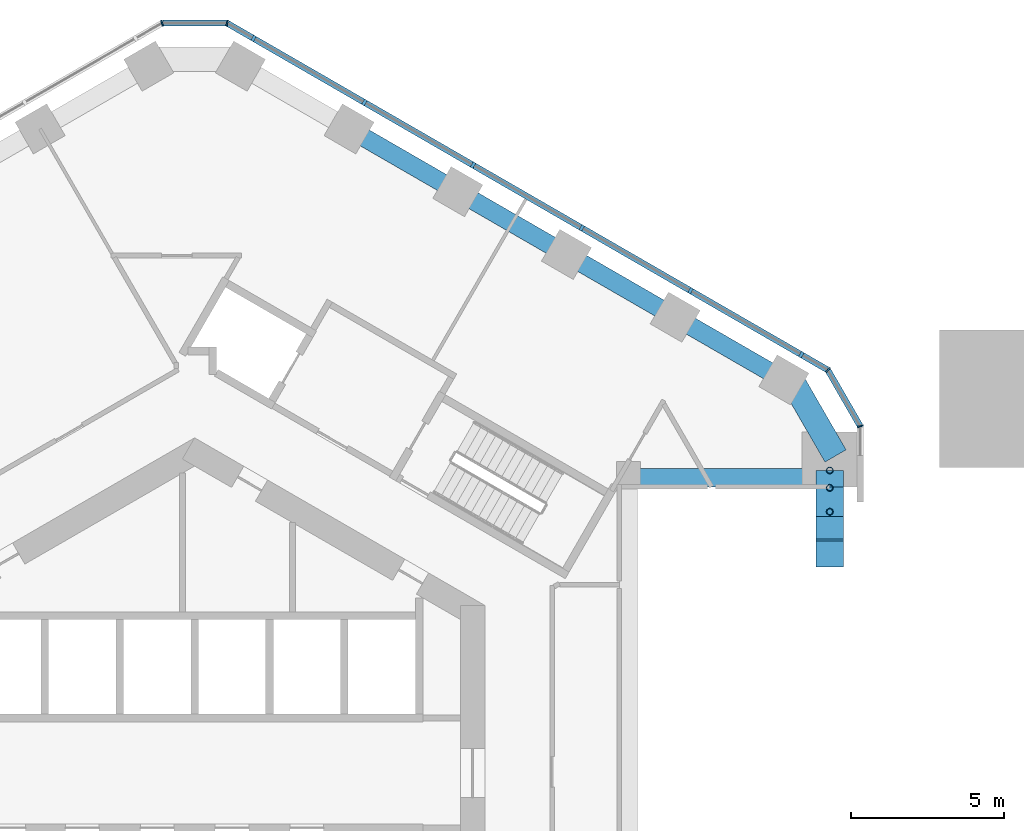
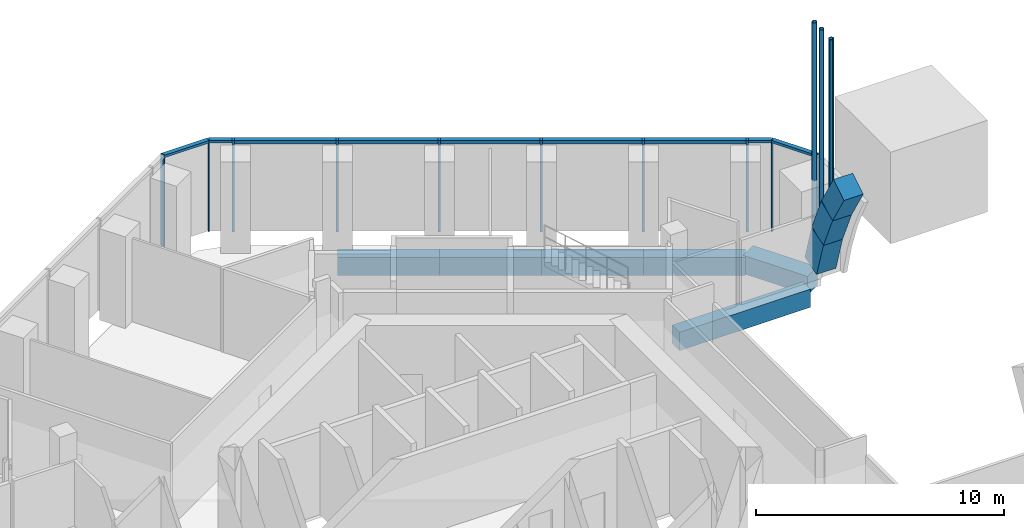
# One storey, part 7 of 14: 18 members, 9 beams, 3 elements without a shape of their own.
"""IFC4 building model written with IfcOpenShell, lengths in metres."""

from ifc_helpers import new_model, si_unit, direction, frame, origin, origin_2d, place, context, subcontext, project, spatial, rectangle, hollow_circle, extrude, material, layer, layer_set, material_profile, profile_set, type_object, element, aggregate, save


model = new_model("IFC4")

# Units and contexts
model_context = context("Model", 3, precision=1e-05, world=origin(), true_north=direction((0.0, 1.0)))
body_context = subcontext(model_context, "Body", "Model", "MODEL_VIEW")
ifc_project = project(units=[si_unit("LENGTHUNIT", "METRE"), si_unit("AREAUNIT", "SQUARE_METRE"), si_unit("VOLUMEUNIT", "CUBIC_METRE"), si_unit("PLANEANGLEUNIT", "RADIAN"), si_unit("MASSUNIT", "GRAM", prefix="KILO")], contexts=[model_context])

# Site, building, storey
site_placement = place(None, origin())
site = spatial("IfcSite", under=ifc_project, at=site_placement, CompositionType="ELEMENT")
building_placement = place(site_placement, origin())
building = spatial("IfcBuilding", under=site, at=building_placement, Name="Ayvan Gate Tower", CompositionType="ELEMENT")
storey_placement = place(building_placement, frame((0.0, 0.0, 7.0)))
storey = spatial("IfcBuildingStorey", under=building, at=storey_placement, Name="L01", CompositionType="ELEMENT", Elevation=7.0)

# Beams
ifc_material_1 = material(Name="Concrete C60/75", Category="concrete")
ifc_material_profile_1 = material_profile(ifc_material_1, rectangle(XDim=0.89990234375, YDim=1.0, at=origin_2d()), Name="RC 900x1000")
ifc_profile_set_1 = profile_set([ifc_material_profile_1], Name="Concrete C60/75")
beam_type_1 = type_object("IfcBeamType", Name="Arch rib RC 900x1000 C60/75", PredefinedType="BEAM", material=ifc_profile_set_1)
for number, where, z_axis, x_axis, name in (
    (1, (20.78466796875, 7.16796875, 5.785888671875), (0.0, 0.511276682663, -0.859416170295), (-1.0, 0.0, 0.0), "AR-0-16"),
    (2, (20.78466796875, 8.121337890625, 4.183349609375), (0.0, 0.405360834835, -0.914156766415), (-1.0, 0.0, 0.0), "AR-0-17"),
    (3, (20.78466796875, 8.877197265625, 2.478759765625), (0.0, 0.293791434836, -0.955869548012), (-1.0, 0.0, 0.0), "AR-0-18"),
):
    element("IfcBeam", number, at=place(storey_placement, frame(where, z_axis=z_axis, x_axis=x_axis)), inside=storey, type_object=beam_type_1, Name=name, PredefinedType="BEAM", context=body_context, shape_type="SweptSolid", body=[
        extrude(rectangle(XDim=0.89990234375, YDim=1.0, at=origin_2d()), origin(), (0.0, 0.0, 1.0), 1.86474609375),
    ])

# Members
ifc_material_2 = material(Name="Steel S460NH", Category="steel")
ifc_material_profile_2 = material_profile(ifc_material_2, hollow_circle(Radius=0.109619140625, WallThickness=0.012451171875, at=origin_2d()), Name="CHS 219.1x12.5")
ifc_profile_set_2 = profile_set([ifc_material_profile_2], Name="Steel S460NH")
member_type_1 = type_object("IfcMemberType", Name="Arch rib hanger CHS 219.1x12.5", PredefinedType="STRUT", material=ifc_profile_set_2)
member_1_placement = place(storey_placement, frame((20.78466796875, 8.551025390625, 3.927734375), z_axis=(0.0, 0.0, 1.0), x_axis=(1.0, 0.0, 0.0)))
element("IfcMember", 4, at=member_1_placement, inside=storey, type_object=member_type_1, Name="ARH-0-16", PredefinedType="STRUT", context=body_context, shape_type="SweptSolid", body=[
    extrude(hollow_circle(Radius=0.109619140625, WallThickness=0.012451171875, at=origin_2d()), origin(), (0.0, 0.0, 1.0), 8.322265625),
])
member_2_placement = place(storey_placement, frame((20.78466796875, 9.33447265625, 2.276123046875), z_axis=(0.0, 0.0, 1.0), x_axis=(1.0, 0.0, 0.0)))
element("IfcMember", 5, at=member_2_placement, inside=storey, type_object=member_type_1, Name="ARH-0-17", PredefinedType="STRUT", context=body_context, shape_type="SweptSolid", body=[
    extrude(hollow_circle(Radius=0.109619140625, WallThickness=0.012451171875, at=origin_2d()), origin(), (0.0, 0.0, 1.0), 9.973876953125),
])
member_3_placement = place(storey_placement, frame((20.78466796875, 9.903076171875, 0.549560546875), z_axis=(0.0, 0.0, 1.0), x_axis=(1.0, 0.0, 0.0)))
element("IfcMember", 6, at=member_3_placement, inside=storey, type_object=member_type_1, Name="ARH-0-18", PredefinedType="STRUT", context=body_context, shape_type="SweptSolid", body=[
    extrude(hollow_circle(Radius=0.109619140625, WallThickness=0.012451171875, at=origin_2d()), origin(), (0.0, 0.0, 1.0), 11.700439453125),
])

# Beams
ifc_material_3 = material(Name="Concrete C40/50", Category="concrete")
ifc_material_profile_3 = material_profile(ifc_material_3, rectangle(XDim=0.800048828125, YDim=0.89990234375, at=origin_2d()), Name="RC 800x900")
ifc_profile_set_3 = profile_set([ifc_material_profile_3], Name="Concrete C40/50")
beam_type_2 = type_object("IfcBeamType", Name="Corner spandrel beam RC 800x900 C40/50", PredefinedType="BEAM", material=ifc_profile_set_3)
beam_1_placement = place(storey_placement, frame((20.97509765625, 10.3779296875, -0.85009765625), z_axis=(-0.499990139034, 0.866031096941, 0.0), x_axis=(-0.866031096941, -0.499990139034, 0.0)))
element("IfcBeam", 7, at=beam_1_placement, inside=storey, type_object=beam_type_2, Name="SB-L01-6", PredefinedType="BEAM", context=body_context, shape_type="SweptSolid", body=[
    extrude(rectangle(XDim=0.800048828125, YDim=0.89990234375, at=origin_2d()), origin(), (0.0, 0.0, 1.0), 3.0),
])
ifc_material_profile_4 = material_profile(ifc_material_3, rectangle(XDim=0.60009765625, YDim=0.89990234375, at=origin_2d()), Name="RC 600x900")
ifc_profile_set_4 = profile_set([ifc_material_profile_4], Name="Concrete C40/50")
beam_type_3 = type_object("IfcBeamType", Name="Opening edge beam RC 600x900 C40/50", PredefinedType="BEAM", material=ifc_profile_set_4)
beam_2_placement = place(storey_placement, frame((20.28466796875, 9.66796875, -0.85009765625), z_axis=(-1.0, 0.0, 0.0), x_axis=(0.0, -1.0, 0.0)))
element("IfcBeam", 8, at=beam_2_placement, inside=storey, type_object=beam_type_3, Name="OB-L01-0-B", PredefinedType="BEAM", context=body_context, shape_type="SweptSolid", body=[
    extrude(rectangle(XDim=0.60009765625, YDim=0.89990234375, at=origin_2d()), origin(), (0.0, 0.0, 1.0), 6.084716796875),
])
ifc_material_profile_5 = material_profile(ifc_material_3, rectangle(XDim=0.60009765625, YDim=0.89990234375, at=origin_2d()), Name="RC 600x900")
ifc_profile_set_5 = profile_set([ifc_material_profile_5], Name="Concrete C40/50")
beam_type_4 = type_object("IfcBeamType", Name="Spandrel beam RC 600x900 C40/50", PredefinedType="BEAM", material=ifc_profile_set_5)
for number, where, z_axis, x_axis, name in (
    (9, (19.28466796875, 12.865966796875, -0.85009765625), (-0.866010373586, 0.500026032164, 0.0), (-0.500026032164, -0.866010373586, 0.0), "SB-L01-7"),
    (10, (15.727783203125, 14.919677734375, -0.85009765625), (-0.866050971923, 0.499955712069, 0.0), (-0.499955712069, -0.866050971923, 0.0), "SB-L01-8"),
    (11, (12.170654296875, 16.97314453125, -0.85009765625), (-0.866010373586, 0.500026032164, 0.0), (-0.500026032164, -0.866010373586, 0.0), "SB-L01-9"),
    (12, (8.61376953125, 19.02685546875, -0.85009765625), (-0.866036113234, 0.499981450231, 0.0), (-0.499981450231, -0.866036113234, 0.0), "SB-L01-10"),
):
    element("IfcBeam", number, at=place(storey_placement, frame(where, z_axis=z_axis, x_axis=x_axis)), inside=storey, type_object=beam_type_4, Name=name, PredefinedType="BEAM", context=body_context, shape_type="SweptSolid", body=[
        extrude(rectangle(XDim=0.60009765625, YDim=0.89990234375, at=origin_2d()), origin(), (0.0, 0.0, 1.0), 4.107177734375),
    ])

# Curtain wall, members
ifc_material_4 = material(Name="Bronze anodised aluminium", Category="aluminium")
ifc_layer_1 = layer(ifc_material_4, 0.199951171875)
ifc_layer_set_1 = layer_set([ifc_layer_1], Name="Bronze anodised aluminium")
curtain_wall_type_1 = type_object("IfcCurtainWallType", Name="Stick curtain wall CW-3", PredefinedType="NOTDEFINED", material=ifc_layer_set_1)
curtain_wall_1_placement = place(storey_placement, origin())
curtain_wall_1 = element("IfcCurtainWall", 13, at=curtain_wall_1_placement, inside=storey, type_object=curtain_wall_type_1, Name="Stick curtain wall CW-3 L01", PredefinedType="NOTDEFINED")
ifc_material_profile_6 = material_profile(ifc_material_4, rectangle(XDim=0.199951171875, YDim=0.10009765625, at=origin_2d()), Name="Stick curtain wall CW-3 mullion 200 x 100")
ifc_profile_set_6 = profile_set([ifc_material_profile_6], Name="Bronze anodised aluminium")
member_type_2 = type_object("IfcMemberType", Name="Stick curtain wall CW-3 mullion 200 x 100", PredefinedType="MULLION", material=ifc_profile_set_6)
member_4_placement = place(storey_placement, frame((19.855224609375, 13.691162109375, 0.0), z_axis=(0.0, 0.0, 1.0), x_axis=(0.5, 0.866025403784, 0.0)))
member_4 = element("IfcMember", 14, at=member_4_placement, type_object=member_type_2, Name="CW-3 mullion 1", PredefinedType="MULLION", context=body_context, shape_type="SweptSolid", body=[
    extrude(rectangle(XDim=0.199951171875, YDim=0.10009765625, at=origin_2d()), origin(), (0.0, 0.0, 1.0), 4.5),
])
member_5_placement = place(storey_placement, frame((16.2275390625, 15.78564453125, 0.0), z_axis=(0.0, 0.0, 1.0), x_axis=(0.5, 0.866025403784, 0.0)))
member_5 = element("IfcMember", 15, at=member_5_placement, type_object=member_type_2, Name="CW-3 mullion 2", PredefinedType="MULLION", context=body_context, shape_type="SweptSolid", body=[
    extrude(rectangle(XDim=0.199951171875, YDim=0.10009765625, at=origin_2d()), origin(), (0.0, 0.0, 1.0), 4.5),
])
member_6_placement = place(storey_placement, frame((12.670654296875, 17.839111328125, 0.0), z_axis=(0.0, 0.0, 1.0), x_axis=(0.5, 0.866025403784, 0.0)))
member_6 = element("IfcMember", 16, at=member_6_placement, type_object=member_type_2, Name="CW-3 mullion 3", PredefinedType="MULLION", context=body_context, shape_type="SweptSolid", body=[
    extrude(rectangle(XDim=0.199951171875, YDim=0.10009765625, at=origin_2d()), origin(), (0.0, 0.0, 1.0), 4.5),
])
member_7_placement = place(storey_placement, frame((9.114013671875, 19.892822265625, 0.0), z_axis=(0.0, 0.0, 1.0), x_axis=(0.5, 0.866025403784, 0.0)))
member_7 = element("IfcMember", 17, at=member_7_placement, type_object=member_type_2, Name="CW-3 mullion 4", PredefinedType="MULLION", context=body_context, shape_type="SweptSolid", body=[
    extrude(rectangle(XDim=0.199951171875, YDim=0.10009765625, at=origin_2d()), origin(), (0.0, 0.0, 1.0), 4.5),
])
member_8_placement = place(storey_placement, frame((5.55712890625, 21.9462890625, 0.0), z_axis=(0.0, 0.0, 1.0), x_axis=(0.5, 0.866025403784, 0.0)))
member_8 = element("IfcMember", 18, at=member_8_placement, type_object=member_type_2, Name="CW-3 mullion 5", PredefinedType="MULLION", context=body_context, shape_type="SweptSolid", body=[
    extrude(rectangle(XDim=0.199951171875, YDim=0.10009765625, at=origin_2d()), origin(), (0.0, 0.0, 1.0), 4.5),
])
member_9_placement = place(storey_placement, frame((1.92919921875, 24.040771484375, 0.0), z_axis=(0.0, 0.0, 1.0), x_axis=(0.5, 0.866025403784, 0.0)))
member_9 = element("IfcMember", 19, at=member_9_placement, type_object=member_type_2, Name="CW-3 mullion 6", PredefinedType="MULLION", context=body_context, shape_type="SweptSolid", body=[
    extrude(rectangle(XDim=0.199951171875, YDim=0.10009765625, at=origin_2d()), origin(), (0.0, 0.0, 1.0), 4.5),
])
ifc_material_profile_7 = material_profile(ifc_material_4, rectangle(XDim=0.199951171875, YDim=0.159912109375, at=origin_2d()), Name="Stick curtain wall CW-3 transom 200 x 160")
ifc_profile_set_7 = profile_set([ifc_material_profile_7], Name="Bronze anodised aluminium")
member_type_3 = type_object("IfcMemberType", Name="Stick curtain wall CW-3 transom 200 x 160", PredefinedType="USERDEFINED", material=ifc_profile_set_7)
member_10_placement = place(storey_placement, frame((19.855224609375, 13.691162109375, 4.419921875), z_axis=(-0.866025115303, 0.500000499665, 0.0), x_axis=(-0.500000499665, -0.866025115303, 0.0)))
member_10 = element("IfcMember", 20, at=member_10_placement, type_object=member_type_3, Name="CW-3 transom 1", ObjectType="TRANSOM", PredefinedType="USERDEFINED", context=body_context, shape_type="SweptSolid", body=[
    extrude(rectangle(XDim=0.199951171875, YDim=0.159912109375, at=origin_2d()), origin(), (0.0, 0.0, 1.0), 20.69921875),
])
aggregate(curtain_wall_1, [member_4, member_5, member_6, member_7, member_8, member_9, member_10])

ifc_layer_2 = layer(ifc_material_4, 0.199951171875)
ifc_layer_set_2 = layer_set([ifc_layer_2], Name="Bronze anodised aluminium")
curtain_wall_type_2 = type_object("IfcCurtainWallType", Name="Stick curtain wall CW-6", PredefinedType="NOTDEFINED", material=ifc_layer_set_2)
curtain_wall_2_placement = place(storey_placement, origin())
curtain_wall_2 = element("IfcCurtainWall", 21, at=curtain_wall_2_placement, inside=storey, type_object=curtain_wall_type_2, Name="Stick curtain wall CW-6 L01", PredefinedType="NOTDEFINED")
ifc_material_profile_8 = material_profile(ifc_material_4, rectangle(XDim=0.199951171875, YDim=0.050048828125, at=origin_2d()), Name="Stick curtain wall CW-6 mullion 200 x 50")
ifc_profile_set_8 = profile_set([ifc_material_profile_8], Name="Bronze anodised aluminium")
member_type_4 = type_object("IfcMemberType", Name="Stick curtain wall CW-6 mullion 200 x 50", PredefinedType="MULLION", material=ifc_profile_set_8)
member_11_placement = place(storey_placement, frame((21.78466796875, 11.349609375, 0.0), z_axis=(0.0, 0.0, 1.0), x_axis=(0.965925826289, 0.258819045103, 0.0)))
member_11 = element("IfcMember", 22, at=member_11_placement, type_object=member_type_4, Name="CW-6 mullion 2", PredefinedType="MULLION", context=body_context, shape_type="SweptSolid", body=[
    extrude(rectangle(XDim=0.199951171875, YDim=0.050048828125, at=origin_2d()), origin(), (0.0, 0.0, 1.0), 4.5),
])
member_12_placement = place(storey_placement, frame((20.721435546875, 13.191162109375, 0.0), z_axis=(0.0, 0.0, 1.0), x_axis=(0.707106781187, 0.707106781187, 0.0)))
member_12 = element("IfcMember", 23, at=member_12_placement, type_object=member_type_4, Name="CW-6 mullion 3", PredefinedType="MULLION", context=body_context, shape_type="SweptSolid", body=[
    extrude(rectangle(XDim=0.199951171875, YDim=0.050048828125, at=origin_2d()), origin(), (0.0, 0.0, 1.0), 4.5),
])

curtain_wall_3_placement = place(storey_placement, origin())
curtain_wall_3 = element("IfcCurtainWall", 24, at=curtain_wall_3_placement, inside=storey, type_object=curtain_wall_type_2, Name="Stick curtain wall CW-6 L01", PredefinedType="NOTDEFINED")
member_13_placement = place(storey_placement, frame((1.063232421875, 24.540771484375, 0.0), z_axis=(0.0, 0.0, 1.0), x_axis=(0.258819045103, 0.965925826289, 0.0)))
member_13 = element("IfcMember", 25, at=member_13_placement, type_object=member_type_4, Name="CW-6 mullion 2", PredefinedType="MULLION", context=body_context, shape_type="SweptSolid", body=[
    extrude(rectangle(XDim=0.199951171875, YDim=0.050048828125, at=origin_2d()), origin(), (0.0, 0.0, 1.0), 4.5),
])
member_14_placement = place(storey_placement, frame((-1.063232421875, 24.540771484375, 0.0), z_axis=(0.0, 0.0, 1.0), x_axis=(-0.258819045103, 0.965925826289, 0.0)))
member_14 = element("IfcMember", 26, at=member_14_placement, type_object=member_type_4, Name="CW-6 mullion 3", PredefinedType="MULLION", context=body_context, shape_type="SweptSolid", body=[
    extrude(rectangle(XDim=0.199951171875, YDim=0.050048828125, at=origin_2d()), origin(), (0.0, 0.0, 1.0), 4.5),
])

# Member
ifc_material_profile_9 = material_profile(ifc_material_4, rectangle(XDim=0.199951171875, YDim=0.1201171875, at=origin_2d()), Name="Stick curtain wall CW-6 transom 200 x 120")
ifc_profile_set_9 = profile_set([ifc_material_profile_9], Name="Bronze anodised aluminium")
member_type_5 = type_object("IfcMemberType", Name="Stick curtain wall CW-6 transom 200 x 120", PredefinedType="USERDEFINED", material=ifc_profile_set_9)
member_15_placement = place(storey_placement, frame((21.772216796875, 11.371337890625, 4.43994140625), z_axis=(-0.500020978615, 0.866013291437, 0.0), x_axis=(-0.866013291437, -0.500020978615, 0.0)))
member_15 = element("IfcMember", 27, at=member_15_placement, type_object=member_type_5, Name="CW-6 transom 2", ObjectType="TRANSOM", PredefinedType="USERDEFINED", context=body_context, shape_type="SweptSolid", body=[
    extrude(rectangle(XDim=0.199951171875, YDim=0.1201171875, at=origin_2d()), origin(), (0.0, 0.0, 1.0), 2.07666015625),
])

member_16_placement = place(storey_placement, frame((20.69970703125, 13.20361328125, 4.43994140625), z_axis=(-0.865943820382, 0.500141279983, 0.0), x_axis=(-0.500141279983, -0.865943820382, 0.0)))
member_16 = element("IfcMember", 28, at=member_16_placement, type_object=member_type_5, Name="CW-6 transom 3", ObjectType="TRANSOM", PredefinedType="USERDEFINED", context=body_context, shape_type="SweptSolid", body=[
    extrude(rectangle(XDim=0.199951171875, YDim=0.1201171875, at=origin_2d()), origin(), (0.0, 0.0, 1.0), 0.925048828125),
])

aggregate(curtain_wall_2, [member_11, member_12, member_15, member_16])

member_17_placement = place(storey_placement, frame((1.885986328125, 24.06591796875, 4.43994140625), z_axis=(-0.866058118026, 0.49994333299, 0.0), x_axis=(-0.49994333299, -0.866058118026, 0.0)))
member_17 = element("IfcMember", 29, at=member_17_placement, type_object=member_type_5, Name="CW-6 transom 1", ObjectType="TRANSOM", PredefinedType="USERDEFINED", context=body_context, shape_type="SweptSolid", body=[
    extrude(rectangle(XDim=0.199951171875, YDim=0.1201171875, at=origin_2d()), origin(), (0.0, 0.0, 1.0), 0.9248046875),
])

member_18_placement = place(storey_placement, frame((1.038330078125, 24.540771484375, 4.43994140625), z_axis=(-1.0, 0.0, 0.0), x_axis=(0.0, -1.0, 0.0)))
member_18 = element("IfcMember", 30, at=member_18_placement, type_object=member_type_5, Name="CW-6 transom 2", ObjectType="TRANSOM", PredefinedType="USERDEFINED", context=body_context, shape_type="SweptSolid", body=[
    extrude(rectangle(XDim=0.199951171875, YDim=0.1201171875, at=origin_2d()), origin(), (0.0, 0.0, 1.0), 2.07666015625),
])

aggregate(curtain_wall_3, [member_13, member_14, member_17, member_18])

save(model, "model.ifc")
